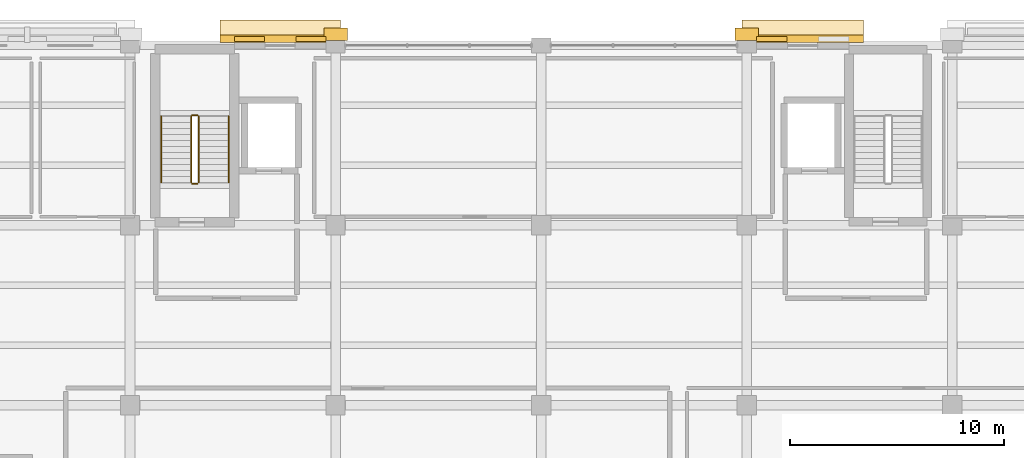
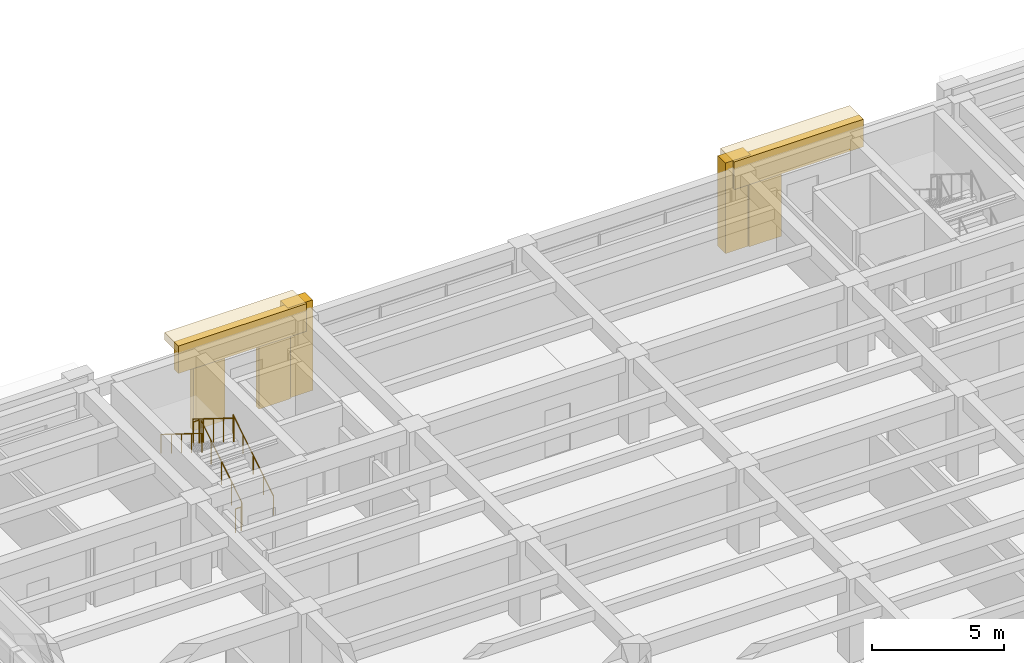
# One storey, part 59 of 62: 9 coverings, 6 railings.
"""IFC4 building model written with IfcOpenShell, lengths in metres."""

from ifc_helpers import new_model, si_unit, direction, frame, origin, origin_2d, place, context, subcontext, project, spatial, rectangle, circle, extrude, material, layer, layer_set, type_object, element, save


model = new_model("IFC4")

# Units and contexts
model_context = context("Model", 3, precision=1e-05, world=origin(), true_north=direction((0.0, 1.0)))
body_context = subcontext(model_context, "Body", "Model", "MODEL_VIEW")
ifc_project = project(units=[si_unit("LENGTHUNIT", "METRE"), si_unit("AREAUNIT", "SQUARE_METRE"), si_unit("VOLUMEUNIT", "CUBIC_METRE"), si_unit("PLANEANGLEUNIT", "RADIAN"), si_unit("MASSUNIT", "GRAM", prefix="KILO")], contexts=[model_context])

# Site, building, storey
site_placement = place(None, origin())
site = spatial("IfcSite", under=ifc_project, at=site_placement, CompositionType="ELEMENT")
building_placement = place(site_placement, origin())
building = spatial("IfcBuilding", under=site, at=building_placement, Name="Bempovik Park Faculty of Sciences", CompositionType="ELEMENT")
storey_placement = place(building_placement, frame((0.0, 0.0, 9.89990234375)))
storey = spatial("IfcBuildingStorey", under=building, at=storey_placement, Name="L02", CompositionType="ELEMENT", Elevation=9.89990234375)

# Coverings
ifc_material_1 = material(Name="Precast concrete C40/50", Category="concrete")
ifc_layer_1 = layer(ifc_material_1, 0.179931640625)
ifc_layer_set_1 = layer_set([ifc_layer_1], Name="Precast concrete C40/50")
covering_type_1 = type_object("IfcCoveringType", Name="CL-02 Classical Cornice Band 180mm", PredefinedType="CLADDING", material=ifc_layer_set_1)
covering_1_placement = place(storey_placement, frame((76.612060546875, 120.06494140625, 3.83984375), z_axis=(0.0, 0.0, 1.0), x_axis=(1.0, 0.0, 0.0)))
element("IfcCovering", 1, at=covering_1_placement, inside=storey, type_object=covering_type_1, Name="L02 Classical Projecting Dentil Cornice EW-L02-7606", PredefinedType="CLADDING", context=body_context, shape_type="SweptSolid", body=[
    extrude(rectangle(XDim=5.6220703125, YDim=1.050048828125, at=origin_2d()), origin(), (0.0, 0.0, 1.0), 0.360107421875),
])
covering_2_placement = place(storey_placement, frame((101.012939453125, 120.06494140625, 3.83984375), z_axis=(0.0, 0.0, 1.0), x_axis=(1.0, 0.0, 0.0)))
element("IfcCovering", 2, at=covering_2_placement, inside=storey, type_object=covering_type_1, Name="L02 Classical Projecting Dentil Cornice EW-L02-7649", PredefinedType="CLADDING", context=body_context, shape_type="SweptSolid", body=[
    extrude(rectangle(XDim=5.672119140625, YDim=1.050048828125, at=origin_2d()), origin(), (0.0, 0.0, 1.0), 0.360107421875),
])
ifc_material_2 = material(Name="White reconstituted limestone precast C40/50", Category="masonry")
ifc_layer_2 = layer(ifc_material_2, 0.239990234375)
ifc_layer_set_2 = layer_set([ifc_layer_2], Name="White reconstituted limestone precast C40/50")
covering_type_2 = type_object("IfcCoveringType", Name="CL-03 Classical Fluted Limestone Pilaster 240mm", PredefinedType="CLADDING", material=ifc_layer_set_2)
covering_3_placement = place(storey_placement, frame((76.612060546875, 119.7099609375, 2.919921875), z_axis=(0.0, 0.0, 1.0), x_axis=(1.0, 0.0, 0.0)))
element("IfcCovering", 3, at=covering_3_placement, inside=storey, type_object=covering_type_2, Name="L02 Classical Limestone Spandrel Entablature EW-L02-7606", PredefinedType="CLADDING", context=body_context, shape_type="SweptSolid", body=[
    extrude(rectangle(XDim=5.6220703125, YDim=0.340087890625, at=origin_2d()), origin(), (0.0, 0.0, 1.0), 1.280029296875),
])
covering_4_placement = place(storey_placement, frame((79.199951171875, 119.929931640625, 0.0), z_axis=(0.0, 0.0, 1.0), x_axis=(1.0, 0.0, 0.0)))
element("IfcCovering", 4, at=covering_4_placement, inside=storey, type_object=covering_type_2, Name="L02 Classical Fluted Stone Pilaster PIL-BA-L02-792-1199", PredefinedType="CLADDING", context=body_context, shape_type="SweptSolid", body=[
    extrude(rectangle(XDim=1.10009765625, YDim=0.580078125, at=origin_2d()), origin(), (0.0, 0.0, 1.0), 4.199951171875),
])
for number, where, z_axis, x_axis, name in (
    (5, (75.174072265625, 119.699951171875, 0.0), (0.0, 0.0, 1.0), (1.0, 0.0, 0.0), "L02 Stairwell White Limestone Cheek EW-L02-7606-1"),
    (6, (78.050048828125, 119.699951171875, 0.0), (0.0, 0.0, 1.0), (1.0, 0.0, 0.0), "L02 Stairwell White Limestone Cheek EW-L02-7606-2"),
):
    element("IfcCovering", number, at=place(storey_placement, frame(where, z_axis=z_axis, x_axis=x_axis)), inside=storey, type_object=covering_type_2, Name=name, PredefinedType="CLADDING", context=body_context, shape_type="SweptSolid", body=[
        extrude(rectangle(XDim=1.39599609375, YDim=0.239990234375, at=origin_2d()), origin(), (0.0, 0.0, 1.0), 3.080078125),
    ])
covering_5_placement = place(storey_placement, frame((101.012939453125, 119.7099609375, 2.919921875), z_axis=(0.0, 0.0, 1.0), x_axis=(1.0, 0.0, 0.0)))
element("IfcCovering", 7, at=covering_5_placement, inside=storey, type_object=covering_type_2, Name="L02 Classical Limestone Spandrel Entablature EW-L02-7649", PredefinedType="CLADDING", context=body_context, shape_type="SweptSolid", body=[
    extrude(rectangle(XDim=5.672119140625, YDim=0.340087890625, at=origin_2d()), origin(), (0.0, 0.0, 1.0), 1.280029296875),
])
covering_6_placement = place(storey_placement, frame((98.39990234375, 119.929931640625, 0.0), z_axis=(0.0, 0.0, 1.0), x_axis=(1.0, 0.0, 0.0)))
element("IfcCovering", 8, at=covering_6_placement, inside=storey, type_object=covering_type_2, Name="L02 Classical Fluted Stone Pilaster PIL-BA-L02-984-1199", PredefinedType="CLADDING", context=body_context, shape_type="SweptSolid", body=[
    extrude(rectangle(XDim=1.10009765625, YDim=0.580078125, at=origin_2d()), origin(), (0.0, 0.0, 1.0), 4.199951171875),
])
covering_7_placement = place(storey_placement, frame((99.5625, 119.699951171875, 0.0), z_axis=(0.0, 0.0, 1.0), x_axis=(1.0, 0.0, 0.0)))
element("IfcCovering", 9, at=covering_7_placement, inside=storey, type_object=covering_type_2, Name="L02 Stairwell White Limestone Cheek EW-L02-7649-1", PredefinedType="CLADDING", context=body_context, shape_type="SweptSolid", body=[
    extrude(rectangle(XDim=1.4208984375, YDim=0.239990234375, at=origin_2d()), origin(), (0.0, 0.0, 1.0), 3.080078125),
])

# Railings
ifc_material_3 = material(Name="Anodised architectural bronze")
railing_type_1 = type_object("IfcRailingType", Name="GR-01 Guardrail 1120mm", PredefinedType="GUARDRAIL", material=ifc_material_3)
railing_1_placement = place(storey_placement, frame((72.800048828125, 113.0, 0.175048828125)))
element("IfcRailing", 10, at=railing_1_placement, inside=storey, type_object=railing_type_1, Name="L02 ST-1 Stair Guard 1", PredefinedType="GUARDRAIL", context=body_context, shape_type="SweptSolid", body=[
    extrude(circle(Radius=0.02392578125, at=origin_2d()), frame((0.0, 0.0, 1.09619140625), z_axis=(0.0, 0.84905059285, 0.528311547082), x_axis=(-1.0, 0.0, 0.0)), (0.0, 0.0, 1.0), 3.643798828125),
    extrude(circle(Radius=0.02099609375, at=origin_2d()), origin(), (0.0, 0.0, 1.0), 1.072021484375),
    extrude(circle(Radius=0.02099609375, at=origin_2d()), frame((0.0, 0.7734375, 0.481201171875)), (0.0, 0.0, 1.0), 1.072021484375),
    extrude(circle(Radius=0.02099609375, at=origin_2d()), frame((0.0, 1.546875, 0.96240234375)), (0.0, 0.0, 1.0), 1.072021484375),
    extrude(circle(Radius=0.02099609375, at=origin_2d()), frame((0.0, 2.3203125, 1.44384765625)), (0.0, 0.0, 1.0), 1.072021484375),
    extrude(circle(Radius=0.02099609375, at=origin_2d()), frame((0.0, 3.09375, 1.925048828125)), (0.0, 0.0, 1.0), 1.072021484375),
])
railing_2_placement = place(storey_placement, frame((72.75, 116.143798828125, 2.10009765625)))
element("IfcRailing", 11, at=railing_2_placement, inside=storey, type_object=railing_type_1, Name="L02 ST-1 Stair Guard 2", PredefinedType="GUARDRAIL", context=body_context, shape_type="SweptSolid", body=[
    extrude(circle(Radius=0.02392578125, at=origin_2d()), frame((0.0, 0.0, 1.09619140625), z_axis=(-1.0, 0.0, 0.0), x_axis=(0.0, -1.0, 0.0)), (0.0, 0.0, 1.0), 0.25),
    extrude(circle(Radius=0.02099609375, at=origin_2d()), origin(), (0.0, 0.0, 1.0), 1.072021484375),
    extrude(circle(Radius=0.02099609375, at=origin_2d()), frame((-0.25, 0.0, 0.0)), (0.0, 0.0, 1.0), 1.072021484375),
])
railing_3_placement = place(storey_placement, frame((72.449951171875, 116.09375, 2.275146484375)))
element("IfcRailing", 12, at=railing_3_placement, inside=storey, type_object=railing_type_1, Name="L02 ST-1 Stair Guard 3", PredefinedType="GUARDRAIL", context=body_context, shape_type="SweptSolid", body=[
    extrude(circle(Radius=0.02392578125, at=origin_2d()), frame((0.0, 0.0, 1.09619140625), z_axis=(0.0, -0.84905059285, 0.528311547082), x_axis=(1.0, 0.0, 0.0)), (0.0, 0.0, 1.0), 3.643798828125),
    extrude(circle(Radius=0.02099609375, at=origin_2d()), origin(), (0.0, 0.0, 1.0), 1.072021484375),
    extrude(circle(Radius=0.02099609375, at=origin_2d()), frame((0.0, -0.7734375, 0.481201171875)), (0.0, 0.0, 1.0), 1.072021484375),
    extrude(circle(Radius=0.02099609375, at=origin_2d()), frame((0.0, -1.546875, 0.96240234375)), (0.0, 0.0, 1.0), 1.072021484375),
    extrude(circle(Radius=0.02099609375, at=origin_2d()), frame((0.0, -2.3203125, 1.44384765625)), (0.0, 0.0, 1.0), 1.072021484375),
    extrude(circle(Radius=0.02099609375, at=origin_2d()), frame((0.0, -3.09375, 1.925048828125)), (0.0, 0.0, 1.0), 1.072021484375),
])
railing_4_placement = place(storey_placement, frame((72.75, 112.949951171875, 0.0)))
element("IfcRailing", 13, at=railing_4_placement, inside=storey, type_object=railing_type_1, Name="L02 ST-1 Stair Guard 4", PredefinedType="GUARDRAIL", context=body_context, shape_type="SweptSolid", body=[
    extrude(circle(Radius=0.02392578125, at=origin_2d()), frame((0.0, 0.0, 1.09619140625), z_axis=(-1.0, 0.0, 0.0), x_axis=(0.0, -1.0, 0.0)), (0.0, 0.0, 1.0), 0.25),
    extrude(circle(Radius=0.02099609375, at=origin_2d()), origin(), (0.0, 0.0, 1.0), 1.072021484375),
    extrude(circle(Radius=0.02099609375, at=origin_2d()), frame((-0.25, 0.0, 0.0)), (0.0, 0.0, 1.0), 1.072021484375),
])
railing_type_2 = type_object("IfcRailingType", Name="HR-01 Wall Handrail 900mm", PredefinedType="HANDRAIL", material=ifc_material_3)
railing_5_placement = place(storey_placement, frame((74.199951171875, 113.0, 0.175048828125)))
element("IfcRailing", 14, at=railing_5_placement, inside=storey, type_object=railing_type_2, Name="L02 ST-1 Stair Handrail 1", PredefinedType="HANDRAIL", context=body_context, shape_type="SweptSolid", body=[
    extrude(circle(Radius=0.02392578125, at=origin_2d()), frame((0.0, 0.0, 0.8759765625), z_axis=(0.0, 0.84905059285, 0.528311547082), x_axis=(-1.0, 0.0, 0.0)), (0.0, 0.0, 1.0), 3.643798828125),
    extrude(circle(Radius=0.02099609375, at=origin_2d()), origin(), (0.0, 0.0, 1.0), 0.851806640625),
    extrude(circle(Radius=0.02099609375, at=origin_2d()), frame((0.0, 0.7734375, 0.481201171875)), (0.0, 0.0, 1.0), 0.851806640625),
    extrude(circle(Radius=0.02099609375, at=origin_2d()), frame((0.0, 1.546875, 0.96240234375)), (0.0, 0.0, 1.0), 0.851806640625),
    extrude(circle(Radius=0.02099609375, at=origin_2d()), frame((0.0, 2.3203125, 1.44384765625)), (0.0, 0.0, 1.0), 0.851806640625),
    extrude(circle(Radius=0.02099609375, at=origin_2d()), frame((0.0, 3.09375, 1.925048828125)), (0.0, 0.0, 1.0), 0.851806640625),
])
railing_6_placement = place(storey_placement, frame((71.050048828125, 116.09375, 2.275146484375)))
element("IfcRailing", 15, at=railing_6_placement, inside=storey, type_object=railing_type_2, Name="L02 ST-1 Stair Handrail 2", PredefinedType="HANDRAIL", context=body_context, shape_type="SweptSolid", body=[
    extrude(circle(Radius=0.02392578125, at=origin_2d()), frame((0.0, 0.0, 0.8759765625), z_axis=(0.0, -0.84905059285, 0.528311547082), x_axis=(1.0, 0.0, 0.0)), (0.0, 0.0, 1.0), 3.643798828125),
    extrude(circle(Radius=0.02099609375, at=origin_2d()), origin(), (0.0, 0.0, 1.0), 0.851806640625),
    extrude(circle(Radius=0.02099609375, at=origin_2d()), frame((0.0, -0.7734375, 0.481201171875)), (0.0, 0.0, 1.0), 0.851806640625),
    extrude(circle(Radius=0.02099609375, at=origin_2d()), frame((0.0, -1.546875, 0.96240234375)), (0.0, 0.0, 1.0), 0.851806640625),
    extrude(circle(Radius=0.02099609375, at=origin_2d()), frame((0.0, -2.3203125, 1.44384765625)), (0.0, 0.0, 1.0), 0.851806640625),
    extrude(circle(Radius=0.02099609375, at=origin_2d()), frame((0.0, -3.09375, 1.925048828125)), (0.0, 0.0, 1.0), 0.851806640625),
])

save(model, "model.ifc")
